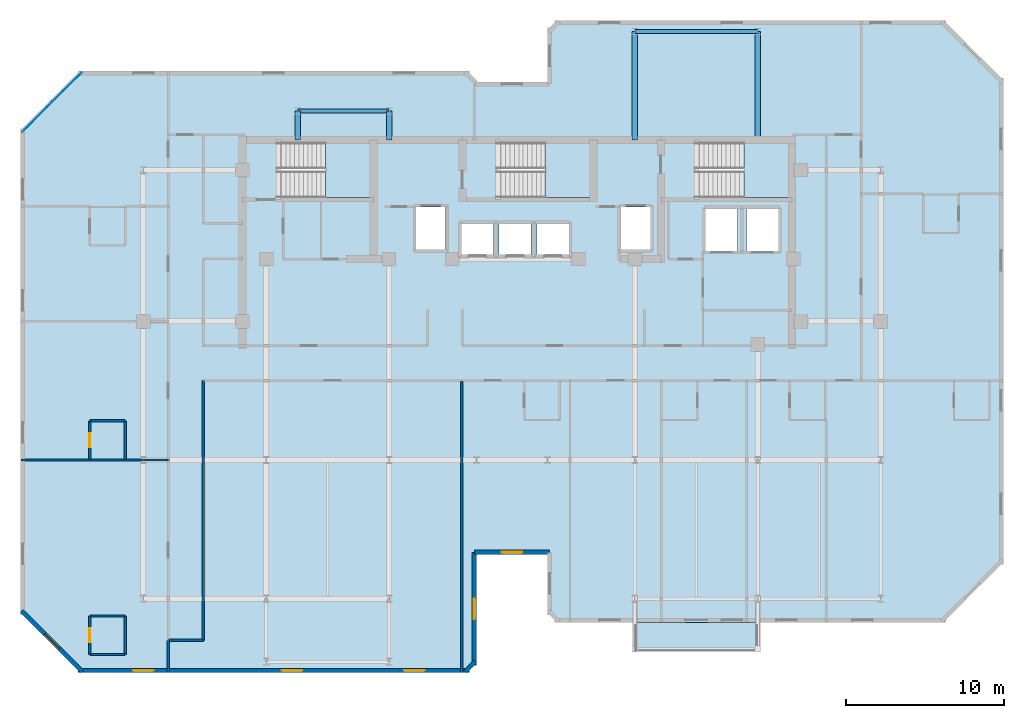
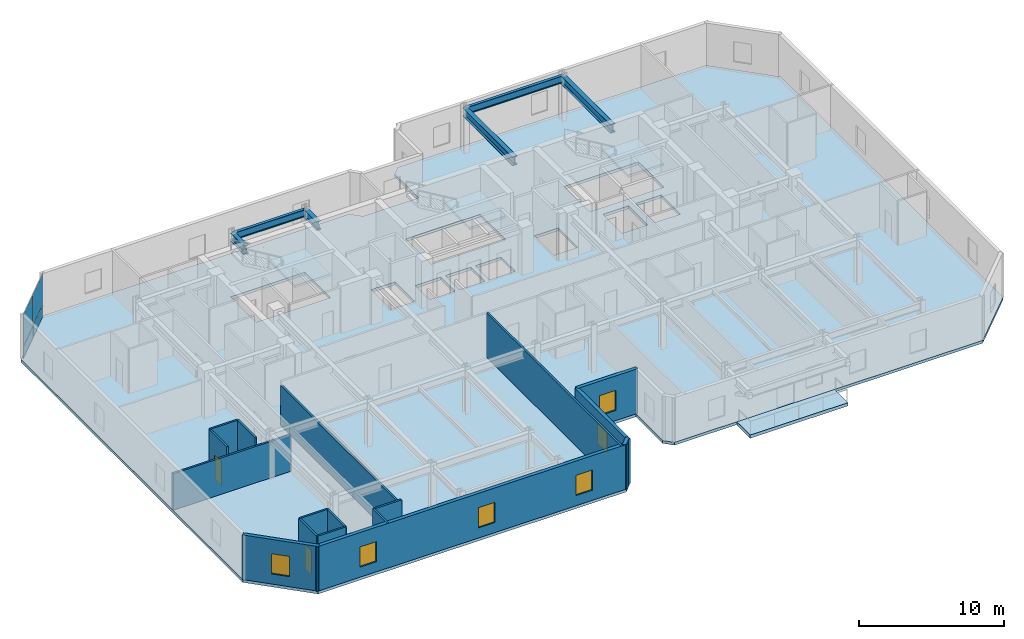
# One storey, part 3 of 11: 17 walls, 6 beams, 6 windows, 5 slabs, 4 plates, 2 doors, 8 openings, 4 elements without a shape of their own.
"""IFC4 building model written with IfcOpenShell, lengths in metres."""

from ifc_helpers import new_model, si_unit, direction, frame, frame_2d, origin, origin_2d, place, context, subcontext, project, spatial, polyline, rectangle, i_section, outline, extrude, material, layer, layer_set, material_profile, profile_set, type_object, element, fill, aggregate, save


model = new_model("IFC4")

# Units and contexts
model_context = context("Model", 3, precision=1e-05, world=origin(), true_north=direction((0.0, 1.0)))
body_context = subcontext(model_context, "Body", "Model", "MODEL_VIEW")
ifc_project = project(units=[si_unit("LENGTHUNIT", "METRE"), si_unit("AREAUNIT", "SQUARE_METRE"), si_unit("VOLUMEUNIT", "CUBIC_METRE"), si_unit("PLANEANGLEUNIT", "RADIAN"), si_unit("MASSUNIT", "GRAM", prefix="KILO")], contexts=[model_context])

# Site, building, storey
site_placement = place(None, origin())
site = spatial("IfcSite", under=ifc_project, at=site_placement, CompositionType="ELEMENT")
building_placement = place(site_placement, origin())
building = spatial("IfcBuilding", under=site, at=building_placement, Name="Kestravale Grand Hotel", CompositionType="ELEMENT")
storey_placement = place(building_placement, frame((0.0, 0.0, 249.39990234375)))
storey = spatial("IfcBuildingStorey", under=building, at=storey_placement, Name="L62", CompositionType="ELEMENT", Elevation=249.39990234375)

# Beams
ifc_material_1 = material(Name="Steel ASTM A992 Grade 50", Category="steel")
ifc_material_profile_1 = material_profile(ifc_material_1, i_section(OverallWidth=0.22900390625, OverallDepth=0.612060546875, WebThickness=0.011962890625, FlangeThickness=0.01953125, FilletRadius=0.019287109375, at=origin_2d()))
ifc_profile_set_1 = profile_set([ifc_material_profile_1], Name="Steel ASTM A992 Grade 50")
beam_type_1 = type_object("IfcBeamType", Name="B-FLR-W24B", PredefinedType="SPANDREL", material=ifc_profile_set_1)
beam_1_placement = place(storey_placement, frame((46.800048828125, 47.199951171875, 3.4541015625), z_axis=(1.0, 0.0, 0.0), x_axis=(0.0, 1.0, 0.0)))
element("IfcBeam", 1, at=beam_1_placement, inside=storey, type_object=beam_type_1, Name="L62 spandrel G:8-9", PredefinedType="SPANDREL", context=body_context, shape_type="SweptSolid", body=[
    extrude(i_section(OverallWidth=0.22900390625, OverallDepth=0.612060546875, WebThickness=0.011962890625, FlangeThickness=0.01953125, FilletRadius=0.019287109375, at=origin_2d()), origin(), (0.0, 0.0, 1.0), 7.800048828125),
])
beam_2_placement = place(storey_placement, frame((25.39990234375, 42.14990234375, 3.4541015625), z_axis=(1.0, 0.0, 0.0), x_axis=(0.0, 1.0, 0.0)))
element("IfcBeam", 2, at=beam_2_placement, inside=storey, type_object=beam_type_1, Name="L62 perimeter tie spandrel FN:4-5", PredefinedType="SPANDREL", context=body_context, shape_type="SweptSolid", body=[
    extrude(i_section(OverallWidth=0.22900390625, OverallDepth=0.612060546875, WebThickness=0.011962890625, FlangeThickness=0.01953125, FilletRadius=0.019287109375, at=origin_2d()), origin(), (0.0, 0.0, 1.0), 5.800048828125),
])
ifc_material_2 = material(Name="Steel ASTM A992 Grade 50", Category="steel")
ifc_material_profile_2 = material_profile(ifc_material_2, i_section(OverallWidth=0.35595703125, OverallDepth=0.696044921875, WebThickness=0.015380859375, FlangeThickness=0.02490234375, FilletRadius=0.021240234375, at=origin_2d()))
ifc_profile_set_2 = profile_set([ifc_material_profile_2], Name="Steel ASTM A992 Grade 50")
beam_type_2 = type_object("IfcBeamType", Name="B-GRD-W27", PredefinedType="BEAM", material=ifc_profile_set_2)
for number, where, z_axis, x_axis, name in (
    (3, (25.39990234375, 40.320068359375, 3.412109375), (0.0, 1.0, 0.0), (-1.0, 0.0, 0.0), "L62 north wing tie girder 4:CN-FN"),
    (4, (31.199951171875, 40.320068359375, 3.412109375), (0.0, 1.0, 0.0), (-1.0, 0.0, 0.0), "L62 north wing tie girder 5:CN-FN"),
):
    element("IfcBeam", number, at=place(storey_placement, frame(where, z_axis=z_axis, x_axis=x_axis)), inside=storey, type_object=beam_type_2, Name=name, PredefinedType="BEAM", context=body_context, shape_type="SweptSolid", body=[
        extrude(i_section(OverallWidth=0.35595703125, OverallDepth=0.696044921875, WebThickness=0.015380859375, FlangeThickness=0.02490234375, FilletRadius=0.021240234375, at=origin_2d()), origin(), (0.0, 0.0, 1.0), 1.829833984375),
    ])
for number, where, z_axis, x_axis, name in (
    (5, (46.800048828125, 40.320068359375, 3.412109375), (0.0, 1.0, 0.0), (-1.0, 0.0, 0.0), "L62 north wing tie girder 8:CN-G"),
    (6, (54.60009765625, 40.320068359375, 3.412109375), (0.0, 1.0, 0.0), (-1.0, 0.0, 0.0), "L62 north wing tie girder 9:CN-G"),
):
    element("IfcBeam", number, at=place(storey_placement, frame(where, z_axis=z_axis, x_axis=x_axis)), inside=storey, type_object=beam_type_2, Name=name, PredefinedType="BEAM", context=body_context, shape_type="SweptSolid", body=[
        extrude(i_section(OverallWidth=0.35595703125, OverallDepth=0.696044921875, WebThickness=0.015380859375, FlangeThickness=0.02490234375, FilletRadius=0.021240234375, at=origin_2d()), origin(), (0.0, 0.0, 1.0), 6.8798828125),
    ])

# Curtain wall, plates
ifc_material_3 = material(Name="Thermally broken champagne-bronze aluminium and low-E glazing", Category="aluminium")
ifc_layer_1 = layer(ifc_material_3, 0.179931640625)
ifc_layer_set_1 = layer_set([ifc_layer_1], Name="CW-Z4")
curtain_wall_type = type_object("IfcCurtainWallType", Name="CW-Z4", PredefinedType="NOTDEFINED", material=ifc_layer_set_1)
curtain_wall_placement = place(storey_placement, origin())
curtain_wall = element("IfcCurtainWall", 7, at=curtain_wall_placement, inside=storey, type_object=curtain_wall_type, Name="L62 unitised curtain wall 18", PredefinedType="NOTDEFINED")
ifc_material_4 = material(Name="Insulated clear low-E double glazing IGU", Category="glass")
ifc_layer_2 = layer(ifc_material_4, 0.028076171875)
ifc_layer_set_2 = layer_set([ifc_layer_2], Name="CW-PNL-28")
plate_type = type_object("IfcPlateType", Name="CW-PNL-28", PredefinedType="CURTAIN_PANEL", material=ifc_layer_set_2)
plate_1_placement = place(storey_placement, frame((10.74462890625, 43.646728515625, 0.06494140625), z_axis=(0.0, 0.0, 1.0), x_axis=(-0.707106781187, -0.707106781187, 0.0)))
plate_1 = element("IfcPlate", 8, at=plate_1_placement, type_object=plate_type, Name="CW-Z4 panel 1.1", PredefinedType="CURTAIN_PANEL", context=body_context, shape_type="SweptSolid", body=[
    extrude(rectangle(XDim=2.609619140625, YDim=0.028076171875, at=origin_2d()), origin(), (0.0, 0.0, 1.0), 0.952392578125),
])
plate_2_placement = place(storey_placement, frame((10.74462890625, 43.646728515625, 1.08251953125), z_axis=(0.0, 0.0, 1.0), x_axis=(-0.707106781187, -0.707106781187, 0.0)))
plate_2 = element("IfcPlate", 9, at=plate_2_placement, type_object=plate_type, Name="CW-Z4 panel 1.2", PredefinedType="CURTAIN_PANEL", context=body_context, shape_type="SweptSolid", body=[
    extrude(rectangle(XDim=2.609619140625, YDim=0.028076171875, at=origin_2d()), origin(), (0.0, 0.0, 1.0), 2.612548828125),
])
plate_3_placement = place(storey_placement, frame((8.853271484375, 41.75537109375, 0.06494140625), z_axis=(0.0, 0.0, 1.0), x_axis=(-0.707106781187, -0.707106781187, 0.0)))
plate_3 = element("IfcPlate", 10, at=plate_3_placement, type_object=plate_type, Name="CW-Z4 panel 2.1", PredefinedType="CURTAIN_PANEL", context=body_context, shape_type="SweptSolid", body=[
    extrude(rectangle(XDim=2.609619140625, YDim=0.028076171875, at=origin_2d()), origin(), (0.0, 0.0, 1.0), 0.952392578125),
])
plate_4_placement = place(storey_placement, frame((8.853271484375, 41.75537109375, 1.08251953125), z_axis=(0.0, 0.0, 1.0), x_axis=(-0.707106781187, -0.707106781187, 0.0)))
plate_4 = element("IfcPlate", 11, at=plate_4_placement, type_object=plate_type, Name="CW-Z4 panel 2.2", PredefinedType="CURTAIN_PANEL", context=body_context, shape_type="SweptSolid", body=[
    extrude(rectangle(XDim=2.609619140625, YDim=0.028076171875, at=origin_2d()), origin(), (0.0, 0.0, 1.0), 2.612548828125),
])
aggregate(curtain_wall, [plate_1, plate_2, plate_3, plate_4])

# Slab
ifc_material_5 = material(Name="Concrete f'c 45 MPa", Category="concrete")
ifc_layer_3 = layer(ifc_material_5, 0.27001953125)
ifc_layer_set_3 = layer_set([ifc_layer_3], Name="ES-TERR-270")
slab_type_1 = type_object("IfcSlabType", Name="ES-TERR-270", PredefinedType="FLOOR", material=ifc_layer_set_3)
slab_1_placement = place(storey_placement, frame((0.0, 0.0, -0.27001953125)))
element("IfcSlab", 12, at=slab_1_placement, inside=storey, type_object=slab_type_1, Name="L62 spiralling planted garden terrace", PredefinedType="FLOOR", context=body_context, shape_type="SweptSolid", body=[
    extrude(outline(polyline([(46.800048828125, 7.85009765625), (54.60009765625, 7.85009765625), (54.60009765625, 9.699951171875), (46.800048828125, 9.699951171875), (46.800048828125, 7.85009765625)])), origin(), (0.0, 0.0, 1.0), 0.27001953125),
])

# Stair, slab
ifc_material_6 = material(Name="Concrete f'c 45 MPa", Category="concrete")
stair_type = type_object("IfcStairType", Name="ST-CORE-400", PredefinedType="HALF_TURN_STAIR", material=ifc_material_6)
stair_1_placement = place(storey_placement, origin())
stair_1 = element("IfcStair", 13, at=stair_1_placement, inside=storey, type_object=stair_type, Name="L62 ST-1", PredefinedType="HALF_TURN_STAIR")
ifc_material_7 = material(Name="Concrete f'c 45 MPa", Category="concrete")
ifc_layer_4 = layer(ifc_material_7, 0.199951171875)
ifc_layer_set_4 = layer_set([ifc_layer_4], Name="SLB-ST-LND200")
slab_type_2 = type_object("IfcSlabType", Name="SLB-ST-LND200", PredefinedType="LANDING", material=ifc_layer_set_4)
slab_2_placement = place(storey_placement, frame((0.0, 0.0, 1.800048828125)))
slab_2 = element("IfcSlab", 14, at=slab_2_placement, type_object=slab_type_2, Name="ST-1 landing 1", PredefinedType="LANDING", context=body_context, shape_type="SweptSolid", body=[
    extrude(outline(polyline([(27.159912109375, 36.64990234375), (30.0, 36.64990234375), (30.0, 40.159912109375), (27.159912109375, 40.159912109375), (27.159912109375, 36.64990234375)])), origin(), (0.0, 0.0, 1.0), 0.199951171875),
])
aggregate(stair_1, [slab_2])

stair_2_placement = place(storey_placement, origin())
stair_2 = element("IfcStair", 15, at=stair_2_placement, inside=storey, type_object=stair_type, Name="L62 ST-2", PredefinedType="HALF_TURN_STAIR")
slab_3_placement = place(storey_placement, frame((0.0, 0.0, 1.800048828125)))
slab_3 = element("IfcSlab", 16, at=slab_3_placement, type_object=slab_type_2, Name="ST-2 landing 1", PredefinedType="LANDING", context=body_context, shape_type="SweptSolid", body=[
    extrude(outline(polyline([(41.110107421875, 36.64990234375), (43.949951171875, 36.64990234375), (43.949951171875, 40.159912109375), (41.110107421875, 40.159912109375), (41.110107421875, 36.64990234375)])), origin(), (0.0, 0.0, 1.0), 0.199951171875),
])
aggregate(stair_2, [slab_3])

stair_3_placement = place(storey_placement, origin())
stair_3 = element("IfcStair", 17, at=stair_3_placement, inside=storey, type_object=stair_type, Name="L62 ST-3", PredefinedType="HALF_TURN_STAIR")
slab_4_placement = place(storey_placement, frame((0.0, 0.0, 1.800048828125)))
slab_4 = element("IfcSlab", 18, at=slab_4_placement, type_object=slab_type_2, Name="ST-3 landing 1", PredefinedType="LANDING", context=body_context, shape_type="SweptSolid", body=[
    extrude(outline(polyline([(53.7099609375, 36.64990234375), (56.550048828125, 36.64990234375), (56.550048828125, 40.159912109375), (53.7099609375, 40.159912109375), (53.7099609375, 36.64990234375)])), origin(), (0.0, 0.0, 1.0), 0.199951171875),
])
aggregate(stair_3, [slab_4])

# Slab
ifc_material_8 = material(Name="Concrete f'c 45 MPa", Category="concrete")
ifc_layer_5 = layer(ifc_material_8, 0.239990234375)
ifc_layer_set_5 = layer_set([ifc_layer_5], Name="SS-FLR-240")
slab_type_3 = type_object("IfcSlabType", Name="SS-FLR-240", PredefinedType="FLOOR", material=ifc_layer_set_5)
slab_5_placement = place(storey_placement, frame((0.0, 0.0, -0.239990234375)))
element("IfcSlab", 19, at=slab_5_placement, inside=storey, type_object=slab_type_3, Name="L62 structural floor slab", PredefinedType="FLOOR", context=body_context, shape_type="SweptSolid", body=[
    extrude(outline(polyline([(11.60009765625, 6.5), (36.14990234375, 6.5), (36.75, 7.10009765625), (36.75, 14.0), (41.25, 14.0), (41.25, 10.300048828125), (41.85009765625, 9.699951171875), (66.39990234375, 9.699951171875), (70.199951171875, 13.5), (70.199951171875, 44.10009765625), (66.39990234375, 47.89990234375), (41.85009765625, 47.89990234375), (41.25, 47.300048828125), (41.25, 44.0), (36.75, 44.0), (36.75, 44.10009765625), (36.14990234375, 44.699951171875), (11.60009765625, 44.699951171875), (7.800048828125, 40.89990234375), (7.800048828125, 10.300048828125), (11.60009765625, 6.5)]), holes=[polyline([(24.080078125, 36.64990234375), (30.0, 36.64990234375), (30.0, 40.159912109375), (24.080078125, 40.159912109375), (24.080078125, 36.64990234375)]), polyline([(38.030029296875, 36.64990234375), (43.949951171875, 36.64990234375), (43.949951171875, 40.159912109375), (38.030029296875, 40.159912109375), (38.030029296875, 36.64990234375)]), polyline([(50.6298828125, 36.64990234375), (56.550048828125, 36.64990234375), (56.550048828125, 40.159912109375), (50.6298828125, 40.159912109375), (50.6298828125, 36.64990234375)]), polyline([(35.780029296875, 33.030029296875), (37.820068359375, 33.030029296875), (37.820068359375, 34.969970703125), (35.780029296875, 34.969970703125), (35.780029296875, 33.030029296875)]), polyline([(38.179931640625, 33.030029296875), (40.219970703125, 33.030029296875), (40.219970703125, 34.969970703125), (38.179931640625, 34.969970703125), (38.179931640625, 33.030029296875)]), polyline([(40.580078125, 33.030029296875), (42.6201171875, 33.030029296875), (42.6201171875, 34.969970703125), (40.580078125, 34.969970703125), (40.580078125, 33.030029296875)]), polyline([(32.905029296875, 33.35498046875), (34.794921875, 33.35498046875), (34.794921875, 36.044921875), (32.905029296875, 36.044921875), (32.905029296875, 33.35498046875)]), polyline([(45.905029296875, 33.35498046875), (47.794921875, 33.35498046875), (47.794921875, 36.044921875), (45.905029296875, 36.044921875), (45.905029296875, 33.35498046875)]), polyline([(51.280029296875, 33.280029296875), (53.320068359375, 33.280029296875), (53.320068359375, 35.919921875), (51.280029296875, 35.919921875), (51.280029296875, 33.280029296875)]), polyline([(53.8798828125, 33.280029296875), (55.919921875, 33.280029296875), (55.919921875, 35.919921875), (53.8798828125, 35.919921875), (53.8798828125, 33.280029296875)])]), origin(), (0.0, 0.0, 1.0), 0.239990234375),
])

# Wall, openings, windows
ifc_material_9 = material(Name="Precast concrete f'c 45 MPa", Category="concrete")
ifc_layer_6 = layer(ifc_material_9, 0.280029296875)
ifc_layer_set_6 = layer_set([ifc_layer_6], Name="EW-PREC-280")
wall_type_1 = type_object("IfcWallType", Name="EW-PREC-280", PredefinedType="SOLIDWALL", material=ifc_layer_set_6)
wall_1_placement = place(storey_placement, frame((11.4599609375, 6.639892578125, 0.0), z_axis=(0.0, 0.0, 1.0), x_axis=(1.0, 0.0, 0.0)))
wall_1 = element("IfcWall", 20, at=wall_1_placement, inside=storey, type_object=wall_type_1, Name="L62 fluted precast facade wall 1", PredefinedType="SOLIDWALL", context=body_context, shape_type="SweptSolid", body=[
    extrude(rectangle(XDim=24.830078125, YDim=0.280029296875, at=frame_2d((12.4150390625, 0.0))), origin(), (0.0, 0.0, 1.0), 3.760009765625),
])
opening_1_placement = place(wall_1_placement, frame((3.48828125, 0.0, 0.85009765625)))
opening_1 = element("IfcOpeningElement", 21, at=opening_1_placement, cuts=wall_1, Name="Opening W-GUEST-1300", PredefinedType="OPENING", context=body_context, shape_type="SweptSolid", body=[
    extrude(rectangle(XDim=1.300048828125, YDim=1.699951171875, at=frame_2d((0.64990234375, 0.85009765625))), frame((0.0, 0.14990234375, 0.0), z_axis=(0.0, -1.0, 0.0), x_axis=(1.0, 0.0, 0.0)), (0.0, 0.0, 1.0), 0.300048828125),
])
opening_2_placement = place(wall_1_placement, frame((12.9150390625, 0.0, 0.85009765625)))
opening_2 = element("IfcOpeningElement", 22, at=opening_2_placement, cuts=wall_1, Name="Opening W-GUEST-1300", PredefinedType="OPENING", context=body_context, shape_type="SweptSolid", body=[
    extrude(rectangle(XDim=1.300048828125, YDim=1.699951171875, at=frame_2d((0.64990234375, 0.85009765625))), frame((0.0, 0.14990234375, 0.0), z_axis=(0.0, -1.0, 0.0), x_axis=(1.0, 0.0, 0.0)), (0.0, 0.0, 1.0), 0.300048828125),
])
opening_3_placement = place(wall_1_placement, frame((20.691650390625, 0.0, 0.85009765625)))
opening_3 = element("IfcOpeningElement", 23, at=opening_3_placement, cuts=wall_1, Name="Opening W-GUEST-1300", PredefinedType="OPENING", context=body_context, shape_type="SweptSolid", body=[
    extrude(rectangle(XDim=1.300048828125, YDim=1.699951171875, at=frame_2d((0.64990234375, 0.85009765625))), frame((0.0, 0.14990234375, 0.0), z_axis=(0.0, -1.0, 0.0), x_axis=(1.0, 0.0, 0.0)), (0.0, 0.0, 1.0), 0.300048828125),
])
ifc_material_10 = material(Name="Insulated low-E double glazing in aluminium frame", Category="aluminium")
window_type = type_object("IfcWindowType", Name="W-GUEST-1300", PartitioningType="SINGLE_PANEL", PredefinedType="WINDOW", material=ifc_material_10)
window_1_placement = place(opening_1_placement, origin())
window_1 = element("IfcWindow", 24, at=window_1_placement, inside=storey, type_object=window_type, Name="L62 exterior window 1.1", OverallHeight=1.699951171875, OverallWidth=1.300048828125, PartitioningType="SINGLE_PANEL", PredefinedType="WINDOW", context=body_context, shape_type="SweptSolid", body=[
    extrude(rectangle(XDim=1.300048828125, YDim=1.699951171875, at=frame_2d((0.64990234375, 0.85009765625))), frame((0.0, 0.030029296875, 0.0), z_axis=(0.0, -1.0, 0.0), x_axis=(1.0, 0.0, 0.0)), (0.0, 0.0, 1.0), 0.06005859375),
])
fill(opening_1, window_1)
window_2_placement = place(opening_2_placement, origin())
window_2 = element("IfcWindow", 25, at=window_2_placement, inside=storey, type_object=window_type, Name="L62 exterior window 1.2", OverallHeight=1.699951171875, OverallWidth=1.300048828125, PartitioningType="SINGLE_PANEL", PredefinedType="WINDOW", context=body_context, shape_type="SweptSolid", body=[
    extrude(rectangle(XDim=1.300048828125, YDim=1.699951171875, at=frame_2d((0.64990234375, 0.85009765625))), frame((0.0, 0.030029296875, 0.0), z_axis=(0.0, -1.0, 0.0), x_axis=(1.0, 0.0, 0.0)), (0.0, 0.0, 1.0), 0.06005859375),
])
fill(opening_2, window_2)
window_3_placement = place(opening_3_placement, origin())
window_3 = element("IfcWindow", 26, at=window_3_placement, inside=storey, type_object=window_type, Name="L62 exterior window 1.3", OverallHeight=1.699951171875, OverallWidth=1.300048828125, PartitioningType="SINGLE_PANEL", PredefinedType="WINDOW", context=body_context, shape_type="SweptSolid", body=[
    extrude(rectangle(XDim=1.300048828125, YDim=1.699951171875, at=frame_2d((0.64990234375, 0.85009765625))), frame((0.0, 0.030029296875, 0.0), z_axis=(0.0, -1.0, 0.0), x_axis=(1.0, 0.0, 0.0)), (0.0, 0.0, 1.0), 0.06005859375),
])
fill(opening_3, window_3)

# Wall
wall_2_placement = place(storey_placement, frame((36.022705078125, 6.57080078125, 0.0), z_axis=(0.0, 0.0, 1.0), x_axis=(0.707106781187, 0.707106781187, 0.0)))
element("IfcWall", 27, at=wall_2_placement, inside=storey, type_object=wall_type_1, Name="L62 fluted precast facade wall 2", PredefinedType="SOLIDWALL", context=body_context, shape_type="SweptSolid", body=[
    extrude(rectangle(XDim=0.928466796875, YDim=0.280029296875, at=frame_2d((0.46435546875, 0.0))), origin(), (0.0, 0.0, 1.0), 3.760009765625),
])

# Wall, opening, window
wall_3_placement = place(storey_placement, frame((36.610107421875, 6.9599609375, 0.0), z_axis=(0.0, 0.0, 1.0), x_axis=(0.0, 1.0, 0.0)))
wall_3 = element("IfcWall", 28, at=wall_3_placement, inside=storey, type_object=wall_type_1, Name="L62 fluted precast facade wall 3", PredefinedType="SOLIDWALL", context=body_context, shape_type="SweptSolid", body=[
    extrude(rectangle(XDim=7.179931640625, YDim=0.280029296875, at=frame_2d((3.58984375, 0.0))), origin(), (0.0, 0.0, 1.0), 3.760009765625),
])
opening_4_placement = place(wall_3_placement, frame((2.93994140625, 0.0, 0.85009765625)))
opening_4 = element("IfcOpeningElement", 29, at=opening_4_placement, cuts=wall_3, Name="Opening W-GUEST-1300", PredefinedType="OPENING", context=body_context, shape_type="SweptSolid", body=[
    extrude(rectangle(XDim=1.300048828125, YDim=1.699951171875, at=frame_2d((0.64990234375, 0.85009765625))), frame((0.0, 0.14990234375, 0.0), z_axis=(0.0, -1.0, 0.0), x_axis=(1.0, 0.0, 0.0)), (0.0, 0.0, 1.0), 0.300048828125),
])
window_4_placement = place(opening_4_placement, origin())
window_4 = element("IfcWindow", 30, at=window_4_placement, inside=storey, type_object=window_type, Name="L62 exterior window 3.1", OverallHeight=1.699951171875, OverallWidth=1.300048828125, PartitioningType="SINGLE_PANEL", PredefinedType="WINDOW", context=body_context, shape_type="SweptSolid", body=[
    extrude(rectangle(XDim=1.300048828125, YDim=1.699951171875, at=frame_2d((0.64990234375, 0.85009765625))), frame((0.0, 0.030029296875, 0.0), z_axis=(0.0, -1.0, 0.0), x_axis=(1.0, 0.0, 0.0)), (0.0, 0.0, 1.0), 0.06005859375),
])
fill(opening_4, window_4)

wall_4_placement = place(storey_placement, frame((36.610107421875, 14.139892578125, 0.0), z_axis=(0.0, 0.0, 1.0), x_axis=(1.0, 0.0, 0.0)))
wall_4 = element("IfcWall", 31, at=wall_4_placement, inside=storey, type_object=wall_type_1, Name="L62 fluted precast facade wall 4", PredefinedType="SOLIDWALL", context=body_context, shape_type="SweptSolid", body=[
    extrude(rectangle(XDim=4.77978515625, YDim=0.280029296875, at=frame_2d((2.389892578125, 0.0))), origin(), (0.0, 0.0, 1.0), 3.760009765625),
])
opening_5_placement = place(wall_4_placement, frame((1.739990234375, 0.0, 0.85009765625)))
opening_5 = element("IfcOpeningElement", 32, at=opening_5_placement, cuts=wall_4, Name="Opening W-GUEST-1300", PredefinedType="OPENING", context=body_context, shape_type="SweptSolid", body=[
    extrude(rectangle(XDim=1.300048828125, YDim=1.699951171875, at=frame_2d((0.64990234375, 0.85009765625))), frame((0.0, 0.14990234375, 0.0), z_axis=(0.0, -1.0, 0.0), x_axis=(1.0, 0.0, 0.0)), (0.0, 0.0, 1.0), 0.300048828125),
])
window_5_placement = place(opening_5_placement, origin())
window_5 = element("IfcWindow", 33, at=window_5_placement, inside=storey, type_object=window_type, Name="L62 exterior window 4.1", OverallHeight=1.699951171875, OverallWidth=1.300048828125, PartitioningType="SINGLE_PANEL", PredefinedType="WINDOW", context=body_context, shape_type="SweptSolid", body=[
    extrude(rectangle(XDim=1.300048828125, YDim=1.699951171875, at=frame_2d((0.64990234375, 0.85009765625))), frame((0.0, 0.030029296875, 0.0), z_axis=(0.0, -1.0, 0.0), x_axis=(1.0, 0.0, 0.0)), (0.0, 0.0, 1.0), 0.06005859375),
])
fill(opening_5, window_5)

wall_5_placement = place(storey_placement, frame((7.87060546875, 10.42724609375, 0.0), z_axis=(0.0, 0.0, 1.0), x_axis=(0.707129162587, -0.707084399077, 0.0)))
wall_5 = element("IfcWall", 34, at=wall_5_placement, inside=storey, type_object=wall_type_1, Name="L62 fluted precast facade wall 20", PredefinedType="SOLIDWALL", context=body_context, shape_type="SweptSolid", body=[
    extrude(rectangle(XDim=5.4541015625, YDim=0.280029296875, at=frame_2d((2.72705078125, 0.0))), origin(), (0.0, 0.0, 1.0), 3.760009765625),
])
opening_6_placement = place(wall_5_placement, frame((2.076904296875, 0.0, 0.85009765625)))
opening_6 = element("IfcOpeningElement", 35, at=opening_6_placement, cuts=wall_5, Name="Opening W-GUEST-1300", PredefinedType="OPENING", context=body_context, shape_type="SweptSolid", body=[
    extrude(rectangle(XDim=1.300048828125, YDim=1.699951171875, at=frame_2d((0.64990234375, 0.85009765625))), frame((0.0, 0.14990234375, 0.0), z_axis=(0.0, -1.0, 0.0), x_axis=(1.0, 0.0, 0.0)), (0.0, 0.0, 1.0), 0.300048828125),
])
window_6_placement = place(opening_6_placement, origin())
window_6 = element("IfcWindow", 36, at=window_6_placement, inside=storey, type_object=window_type, Name="L62 exterior window 20.1", OverallHeight=1.699951171875, OverallWidth=1.300048828125, PartitioningType="SINGLE_PANEL", PredefinedType="WINDOW", context=body_context, shape_type="SweptSolid", body=[
    extrude(rectangle(XDim=1.300048828125, YDim=1.699951171875, at=frame_2d((0.64990234375, 0.85009765625))), frame((0.0, 0.030029296875, 0.0), z_axis=(0.0, -1.0, 0.0), x_axis=(1.0, 0.0, 0.0)), (0.0, 0.0, 1.0), 0.06005859375),
])
fill(opening_6, window_6)

# Wall
ifc_material_11 = material(Name="Acoustic fire-rated gypsum board partition", Category="other")
ifc_layer_7 = layer(ifc_material_11, 0.159912109375)
ifc_layer_set_7 = layer_set([ifc_layer_7], Name="IW-CORR-160")
wall_type_2 = type_object("IfcWallType", Name="IW-CORR-160", PredefinedType="PARTITIONING", material=ifc_layer_set_7)
wall_6_placement = place(storey_placement, frame((19.409912109375, 8.550048828125, 0.0), z_axis=(0.0, 0.0, 1.0), x_axis=(0.0, 1.0, 0.0)))
element("IfcWall", 37, at=wall_6_placement, inside=storey, type_object=wall_type_2, Name="W-L62-SW-E", PredefinedType="PARTITIONING", context=body_context, shape_type="SweptSolid", body=[
    extrude(rectangle(XDim=16.489990234375, YDim=0.159912109375, at=frame_2d((8.2451171875, 0.0))), origin(), (0.0, 0.0, 1.0), 3.356201171875),
])

# Wall, opening, door
ifc_material_12 = material(Name="Moisture-resistant tile-backer plumbing chase wall", Category="other")
ifc_layer_8 = layer(ifc_material_12, 0.139892578125)
ifc_layer_set_8 = layer_set([ifc_layer_8], Name="IW-PLB-140")
wall_type_3 = type_object("IfcWallType", Name="IW-PLB-140", PredefinedType="PLUMBINGWALL", material=ifc_layer_set_8)
wall_7_placement = place(storey_placement, frame((12.199951171875, 7.64990234375, 0.0), z_axis=(0.0, 0.0, 1.0), x_axis=(0.0, 1.0, 0.0)))
wall_7 = element("IfcWall", 38, at=wall_7_placement, inside=storey, type_object=wall_type_3, Name="W-L62-U04-BW", PredefinedType="PLUMBINGWALL", context=body_context, shape_type="SweptSolid", body=[
    extrude(rectangle(XDim=2.4501953125, YDim=0.139892578125, at=frame_2d((1.22509765625, 0.0))), origin(), (0.0, 0.0, 1.0), 3.760009765625),
])
opening_7_placement = place(wall_7_placement, frame((0.784912109375, 0.0, 0.0)))
opening_7 = element("IfcOpeningElement", 39, at=opening_7_placement, cuts=wall_7, Name="Opening D-BATH-880", PredefinedType="OPENING", context=body_context, shape_type="SweptSolid", body=[
    extrude(rectangle(XDim=0.8798828125, YDim=2.050048828125, at=frame_2d((0.43994140625, 1.02490234375))), frame((0.0, 0.079833984375, 0.0), z_axis=(0.0, -1.0, 0.0), x_axis=(1.0, 0.0, 0.0)), (0.0, 0.0, 1.0), 0.159912109375),
])
ifc_material_13 = material(Name="Moisture-sealed walnut en-suite bathroom door", Category="wood")
door_type = type_object("IfcDoorType", Name="D-BATH-880", OperationType="NOTDEFINED", PredefinedType="DOOR", material=ifc_material_13)
door_1_placement = place(opening_7_placement, origin())
door_1 = element("IfcDoor", 40, at=door_1_placement, inside=storey, type_object=door_type, Name="D-L62-U04-BATH", OperationType="SINGLE_SWING_RIGHT", OverallHeight=2.050048828125, OverallWidth=0.8798828125, PredefinedType="DOOR", context=body_context, shape_type="SweptSolid", body=[
    extrude(rectangle(XDim=0.8798828125, YDim=2.050048828125, at=frame_2d((0.43994140625, 1.02490234375))), frame((0.0, 0.02490234375, 0.0), z_axis=(0.0, -1.0, 0.0), x_axis=(1.0, 0.0, 0.0)), (0.0, 0.0, 1.0), 0.050048828125),
])
fill(opening_7, door_1)

# Walls
wall_8_placement = place(storey_placement, frame((14.449951171875, 7.64990234375, 0.0), z_axis=(0.0, 0.0, 1.0), x_axis=(0.0, 1.0, 0.0)))
element("IfcWall", 41, at=wall_8_placement, inside=storey, type_object=wall_type_3, Name="W-L62-U04-BE", PredefinedType="PLUMBINGWALL", context=body_context, shape_type="SweptSolid", body=[
    extrude(rectangle(XDim=2.4501953125, YDim=0.139892578125, at=frame_2d((1.22509765625, 0.0))), origin(), (0.0, 0.0, 1.0), 3.760009765625),
])
for number, where, z_axis, x_axis, name in (
    (42, (12.199951171875, 7.64990234375, 0.0), (0.0, 0.0, 1.0), (1.0, 0.0, 0.0), "W-L62-U04-BS"),
    (43, (12.199951171875, 10.10009765625, 0.0), (0.0, 0.0, 1.0), (1.0, 0.0, 0.0), "W-L62-U04-BN"),
):
    element("IfcWall", number, at=place(storey_placement, frame(where, z_axis=z_axis, x_axis=x_axis)), inside=storey, type_object=wall_type_3, Name=name, PredefinedType="PLUMBINGWALL", context=body_context, shape_type="SweptSolid", body=[
        extrude(rectangle(XDim=2.25, YDim=0.139892578125, at=frame_2d((1.125, 0.0))), origin(), (0.0, 0.0, 1.0), 3.760009765625),
    ])

# Wall, opening, door
wall_9_placement = place(storey_placement, frame((12.199951171875, 20.0400390625, 0.0), z_axis=(0.0, 0.0, 1.0), x_axis=(0.0, 1.0, 0.0)))
wall_9 = element("IfcWall", 44, at=wall_9_placement, inside=storey, type_object=wall_type_3, Name="W-L62-U05-BW", PredefinedType="PLUMBINGWALL", context=body_context, shape_type="SweptSolid", body=[
    extrude(rectangle(XDim=2.449951171875, YDim=0.139892578125, at=frame_2d((1.22509765625, 0.0))), origin(), (0.0, 0.0, 1.0), 3.760009765625),
])
opening_8_placement = place(wall_9_placement, frame((0.784912109375, 0.0, 0.0)))
opening_8 = element("IfcOpeningElement", 45, at=opening_8_placement, cuts=wall_9, Name="Opening D-BATH-880", PredefinedType="OPENING", context=body_context, shape_type="SweptSolid", body=[
    extrude(rectangle(XDim=0.8798828125, YDim=2.050048828125, at=frame_2d((0.43994140625, 1.02490234375))), frame((0.0, 0.079833984375, 0.0), z_axis=(0.0, -1.0, 0.0), x_axis=(1.0, 0.0, 0.0)), (0.0, 0.0, 1.0), 0.159912109375),
])
door_2_placement = place(opening_8_placement, origin())
door_2 = element("IfcDoor", 46, at=door_2_placement, inside=storey, type_object=door_type, Name="D-L62-U05-BATH", OperationType="SINGLE_SWING_RIGHT", OverallHeight=2.050048828125, OverallWidth=0.8798828125, PredefinedType="DOOR", context=body_context, shape_type="SweptSolid", body=[
    extrude(rectangle(XDim=0.8798828125, YDim=2.050048828125, at=frame_2d((0.43994140625, 1.02490234375))), frame((0.0, 0.02490234375, 0.0), z_axis=(0.0, -1.0, 0.0), x_axis=(1.0, 0.0, 0.0)), (0.0, 0.0, 1.0), 0.050048828125),
])
fill(opening_8, door_2)

# Walls
wall_10_placement = place(storey_placement, frame((14.449951171875, 20.0400390625, 0.0), z_axis=(0.0, 0.0, 1.0), x_axis=(0.0, 1.0, 0.0)))
element("IfcWall", 47, at=wall_10_placement, inside=storey, type_object=wall_type_3, Name="W-L62-U05-BE", PredefinedType="PLUMBINGWALL", context=body_context, shape_type="SweptSolid", body=[
    extrude(rectangle(XDim=2.449951171875, YDim=0.139892578125, at=frame_2d((1.22509765625, 0.0))), origin(), (0.0, 0.0, 1.0), 3.760009765625),
])
wall_11_placement = place(storey_placement, frame((12.199951171875, 22.489990234375, 0.0), z_axis=(0.0, 0.0, 1.0), x_axis=(1.0, 0.0, 0.0)))
element("IfcWall", 48, at=wall_11_placement, inside=storey, type_object=wall_type_3, Name="W-L62-U05-BN", PredefinedType="PLUMBINGWALL", context=body_context, shape_type="SweptSolid", body=[
    extrude(rectangle(XDim=2.25, YDim=0.139892578125, at=frame_2d((1.125, 0.0))), origin(), (0.0, 0.0, 1.0), 3.760009765625),
])
ifc_material_14 = material(Name="Double-stud STC 52 acoustic demising partition", Category="other")
ifc_layer_9 = layer(ifc_material_14, 0.14990234375)
ifc_layer_set_9 = layer_set([ifc_layer_9], Name="IW-UNIT-150")
wall_type_4 = type_object("IfcWallType", Name="IW-UNIT-150", PredefinedType="PARTITIONING", material=ifc_layer_set_9)
wall_12_placement = place(storey_placement, frame((17.18994140625, 8.550048828125, 0.0), z_axis=(0.0, 0.0, 1.0), x_axis=(1.0, 0.0, 0.0)))
element("IfcWall", 49, at=wall_12_placement, inside=storey, type_object=wall_type_4, Name="W-L62-SW-S", PredefinedType="PARTITIONING", context=body_context, shape_type="SweptSolid", body=[
    extrude(rectangle(XDim=2.219970703125, YDim=0.14990234375, at=frame_2d((1.10986328125, 0.0))), origin(), (0.0, 0.0, 1.0), 3.760009765625),
])
wall_13_placement = place(storey_placement, frame((35.800048828125, 6.52001953125, 0.0), z_axis=(0.0, 0.0, 1.0), x_axis=(0.0, 1.0, 0.0)))
element("IfcWall", 50, at=wall_13_placement, inside=storey, type_object=wall_type_4, Name="W-L62-MID-S", PredefinedType="PARTITIONING", context=body_context, shape_type="SweptSolid", body=[
    extrude(rectangle(XDim=18.5, YDim=0.14990234375, at=frame_2d((9.25, 0.0))), origin(), (0.0, 0.0, 1.0), 3.760009765625),
])
wall_14_placement = place(storey_placement, frame((17.18994140625, 6.52001953125, 0.0), z_axis=(0.0, 0.0, 1.0), x_axis=(0.0, 1.0, 0.0)))
element("IfcWall", 51, at=wall_14_placement, inside=storey, type_object=wall_type_4, Name="W-L62-SW-EXT", PredefinedType="PARTITIONING", context=body_context, shape_type="SweptSolid", body=[
    extrude(rectangle(XDim=2.030029296875, YDim=0.14990234375, at=frame_2d((1.01513671875, 0.0))), origin(), (0.0, 0.0, 1.0), 3.760009765625),
])
wall_15_placement = place(storey_placement, frame((7.820068359375, 20.0, 0.0), z_axis=(0.0, 0.0, 1.0), x_axis=(1.0, 0.0, 0.0)))
element("IfcWall", 52, at=wall_15_placement, inside=storey, type_object=wall_type_4, Name="W-L62-WW-1", PredefinedType="PARTITIONING", context=body_context, shape_type="SweptSolid", body=[
    extrude(rectangle(XDim=9.369873046875, YDim=0.14990234375, at=frame_2d((4.68505859375, 0.0))), origin(), (0.0, 0.0, 1.0), 3.064208984375),
])

save(model, "model.ifc")
